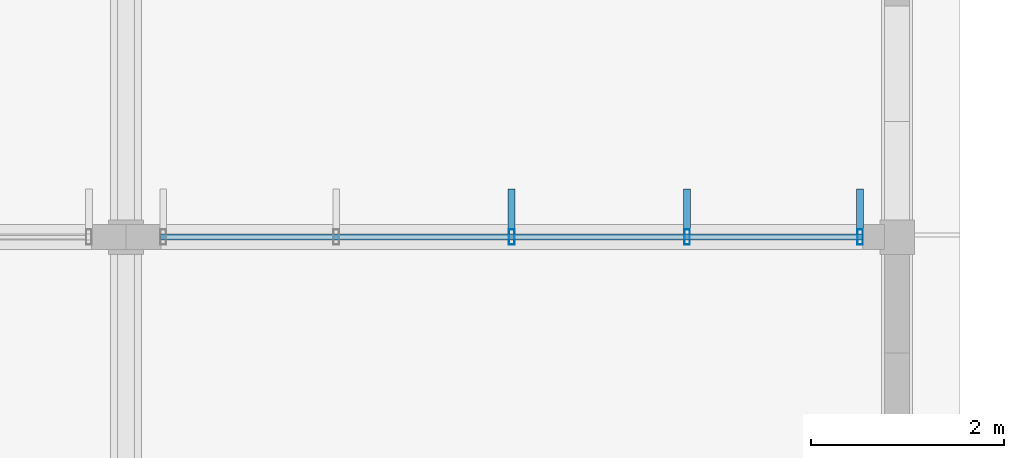
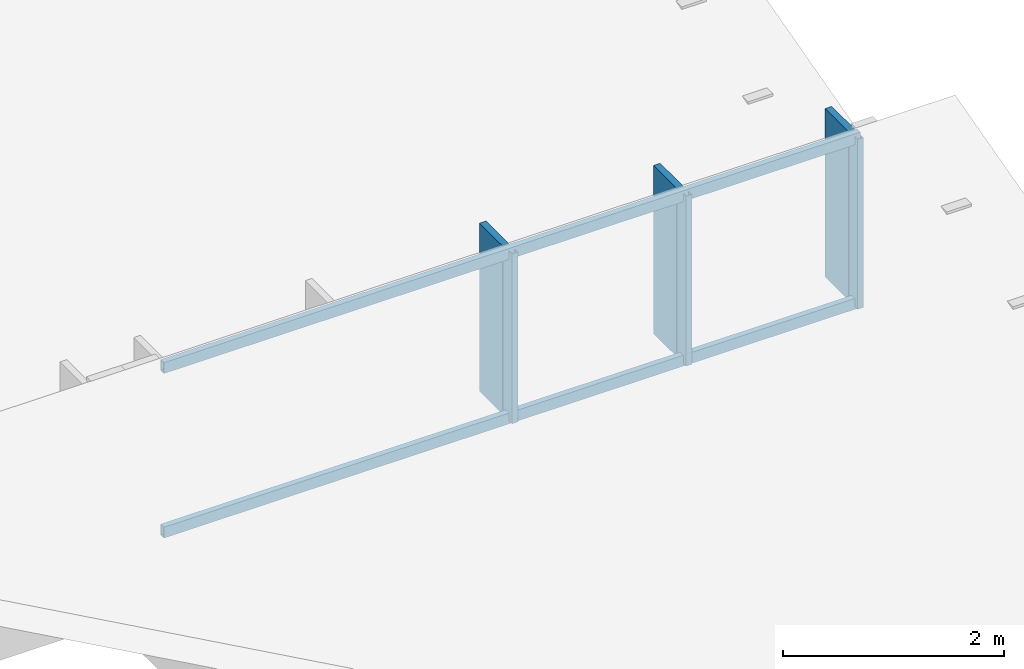
# One storey, part 31 of 94: 8 members, 1 element without a shape of its own.
"""IFC4 building model written with IfcOpenShell, lengths in metres."""

from ifc_helpers import new_model, si_unit, direction, frame, origin, origin_2d, place, context, subcontext, project, spatial, rectangle, hollow_rectangle, extrude, material, material_profile, profile_set, type_object, element, aggregate, save


model = new_model("IFC4")

# Units and contexts
model_context = context("Model", 3, precision=1e-05, world=origin(), true_north=direction((0.0, 1.0)))
body_context = subcontext(model_context, "Body", "Model", "MODEL_VIEW")
ifc_project = project(units=[si_unit("LENGTHUNIT", "METRE"), si_unit("AREAUNIT", "SQUARE_METRE"), si_unit("VOLUMEUNIT", "CUBIC_METRE"), si_unit("PLANEANGLEUNIT", "RADIAN"), si_unit("MASSUNIT", "GRAM", prefix="KILO")], contexts=[model_context])

# Site, building, storey
site_placement = place(None, origin())
site = spatial("IfcSite", under=ifc_project, at=site_placement, CompositionType="ELEMENT")
building_placement = place(site_placement, origin())
building = spatial("IfcBuilding", under=site, at=building_placement, Name="Chiffa Square Polytechnic", CompositionType="ELEMENT")
storey_placement = place(building_placement, frame((0.0, 0.0, 18.0)))
storey = spatial("IfcBuildingStorey", under=building, at=storey_placement, Name="L04", CompositionType="ELEMENT", Elevation=18.0)

# Curtain wall, members
ifc_material_1 = material(Name="Aluminium EN AW-6060 T66 and glulam shading", Category="wood")
curtain_wall_type = type_object("IfcCurtainWallType", Name="CW-VERT-600X440", PredefinedType="USERDEFINED", material=ifc_material_1)
curtain_wall_placement = place(storey_placement, origin())
curtain_wall = element("IfcCurtainWall", 1, at=curtain_wall_placement, inside=storey, type_object=curtain_wall_type, Name="Curtain wall CW-V6-SAW5-4", ObjectType="CURTAIN WALL", PredefinedType="USERDEFINED")
ifc_material_2 = material(Name="Aluminium EN AW-6060 T66", Category="aluminium")
ifc_material_profile_1 = material_profile(ifc_material_2, hollow_rectangle(XDim=0.06005859375, YDim=0.159912109375, WallThickness=0.00390625, at=origin_2d()), Name="ALU 60x160x4")
ifc_profile_set_1 = profile_set([ifc_material_profile_1], Name="Aluminium EN AW-6060 T66")
member_type_1 = type_object("IfcMemberType", Name="CWM-ALU-65X150", PredefinedType="MULLION", material=ifc_profile_set_1)
member_1_placement = place(storey_placement, frame((31.614990234375, 72.60009765625, 0.699951171875), z_axis=(0.0, 0.0, 1.0), x_axis=(1.0, 0.0, 0.0)))
member_1 = element("IfcMember", 2, at=member_1_placement, type_object=member_type_1, Name="Curtain wall mullion CW-V6-SAW5-4-M00", PredefinedType="MULLION", context=body_context, shape_type="SweptSolid", body=[
    extrude(hollow_rectangle(XDim=0.06005859375, YDim=0.159912109375, WallThickness=0.00390625, at=origin_2d()), origin(), (0.0, 0.0, 1.0), 1.879150390625),
])
member_2_placement = place(storey_placement, frame((29.820068359375, 72.60009765625, 0.699951171875), z_axis=(0.0, 0.0, 1.0), x_axis=(1.0, 0.0, 0.0)))
member_2 = element("IfcMember", 3, at=member_2_placement, type_object=member_type_1, Name="Curtain wall mullion CW-V6-SAW5-4-M01", PredefinedType="MULLION", context=body_context, shape_type="SweptSolid", body=[
    extrude(hollow_rectangle(XDim=0.06005859375, YDim=0.159912109375, WallThickness=0.00390625, at=origin_2d()), origin(), (0.0, 0.0, 1.0), 1.879150390625),
])
member_3_placement = place(storey_placement, frame((28.0, 72.60009765625, 0.699951171875), z_axis=(0.0, 0.0, 1.0), x_axis=(1.0, 0.0, 0.0)))
member_3 = element("IfcMember", 4, at=member_3_placement, type_object=member_type_1, Name="Curtain wall mullion CW-V6-SAW5-4-M02", PredefinedType="MULLION", context=body_context, shape_type="SweptSolid", body=[
    extrude(hollow_rectangle(XDim=0.06005859375, YDim=0.159912109375, WallThickness=0.00390625, at=origin_2d()), origin(), (0.0, 0.0, 1.0), 1.879150390625),
])
ifc_material_3 = material(Name="Glulam GL28h", Category="wood")
ifc_material_profile_2 = material_profile(ifc_material_3, rectangle(XDim=0.070068359375, YDim=0.419921875, at=origin_2d()), Name="GL28h 70x420")
ifc_profile_set_2 = profile_set([ifc_material_profile_2], Name="Glulam GL28h")
member_type_2 = type_object("IfcMemberType", Name="CWM-GL-70X420", PredefinedType="MULLION", material=ifc_profile_set_2)
member_4_placement = place(storey_placement, frame((31.614990234375, 72.89208984375, 0.7099609375), z_axis=(0.0, 0.0, 1.0), x_axis=(-1.0, 0.0, 0.0)))
member_4 = element("IfcMember", 5, at=member_4_placement, type_object=member_type_2, Name="Exterior glulam solar fin CW-V6-SAW5-4-FN00", PredefinedType="MULLION", context=body_context, shape_type="SweptSolid", body=[
    extrude(rectangle(XDim=0.070068359375, YDim=0.419921875, at=origin_2d()), origin(), (0.0, 0.0, 1.0), 1.859130859375),
])
member_5_placement = place(storey_placement, frame((29.820068359375, 72.89208984375, 0.7099609375), z_axis=(0.0, 0.0, 1.0), x_axis=(-1.0, 0.0, 0.0)))
member_5 = element("IfcMember", 6, at=member_5_placement, type_object=member_type_2, Name="Exterior glulam solar fin CW-V6-SAW5-4-FN01", PredefinedType="MULLION", context=body_context, shape_type="SweptSolid", body=[
    extrude(rectangle(XDim=0.070068359375, YDim=0.419921875, at=origin_2d()), origin(), (0.0, 0.0, 1.0), 1.859130859375),
])
member_6_placement = place(storey_placement, frame((28.0, 72.89208984375, 0.7099609375), z_axis=(0.0, 0.0, 1.0), x_axis=(-1.0, 0.0, 0.0)))
member_6 = element("IfcMember", 7, at=member_6_placement, type_object=member_type_2, Name="Exterior glulam solar fin CW-V6-SAW5-4-FN02", PredefinedType="MULLION", context=body_context, shape_type="SweptSolid", body=[
    extrude(rectangle(XDim=0.070068359375, YDim=0.419921875, at=origin_2d()), origin(), (0.0, 0.0, 1.0), 1.859130859375),
])
ifc_material_profile_3 = material_profile(ifc_material_2, hollow_rectangle(XDim=0.06005859375, YDim=0.1201171875, WallThickness=0.00390625, at=origin_2d()), Name="ALU 60x120x4")
ifc_profile_set_3 = profile_set([ifc_material_profile_3], Name="Aluminium EN AW-6060 T66")
member_type_3 = type_object("IfcMemberType", Name="CWT-ALU-65X120", PredefinedType="USERDEFINED", material=ifc_profile_set_3)
member_7_placement = place(storey_placement, frame((31.64208984375, 72.60009765625, 0.72998046875), z_axis=(-1.0, 0.0, 0.0), x_axis=(0.0, -1.0, 0.0)))
member_7 = element("IfcMember", 8, at=member_7_placement, type_object=member_type_3, Name="Curtain wall transom CW-V6-SAW5-4-T01", ObjectType="TRANSOM", PredefinedType="USERDEFINED", context=body_context, shape_type="SweptSolid", body=[
    extrude(hollow_rectangle(XDim=0.06005859375, YDim=0.1201171875, WallThickness=0.00390625, at=origin_2d()), origin(), (0.0, 0.0, 1.0), 7.2841796875),
])
member_8_placement = place(storey_placement, frame((31.64208984375, 72.60009765625, 2.549072265625), z_axis=(-1.0, 0.0, 0.0), x_axis=(0.0, -1.0, 0.0)))
member_8 = element("IfcMember", 9, at=member_8_placement, type_object=member_type_3, Name="Curtain wall transom CW-V6-SAW5-4-T02", ObjectType="TRANSOM", PredefinedType="USERDEFINED", context=body_context, shape_type="SweptSolid", body=[
    extrude(hollow_rectangle(XDim=0.06005859375, YDim=0.1201171875, WallThickness=0.00390625, at=origin_2d()), origin(), (0.0, 0.0, 1.0), 7.2841796875),
])
aggregate(curtain_wall, [member_1, member_4, member_2, member_5, member_3, member_6, member_7, member_8])

save(model, "model.ifc")
